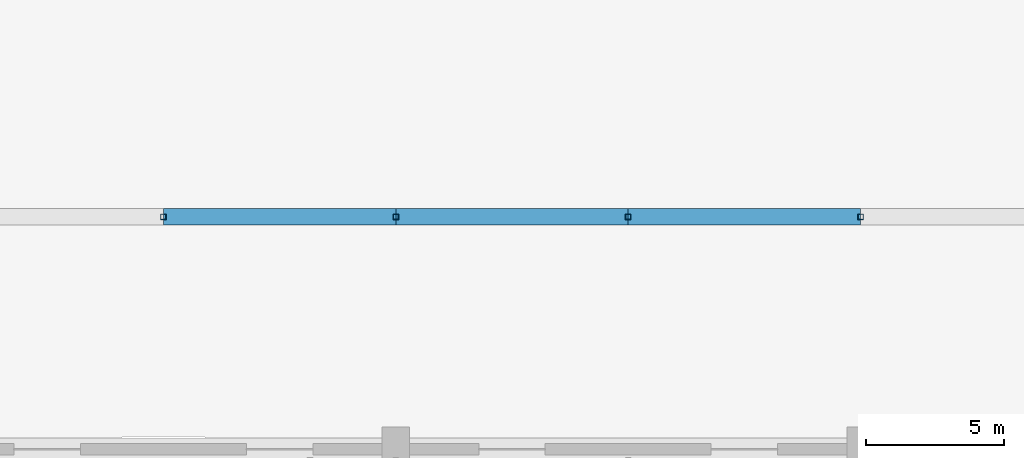
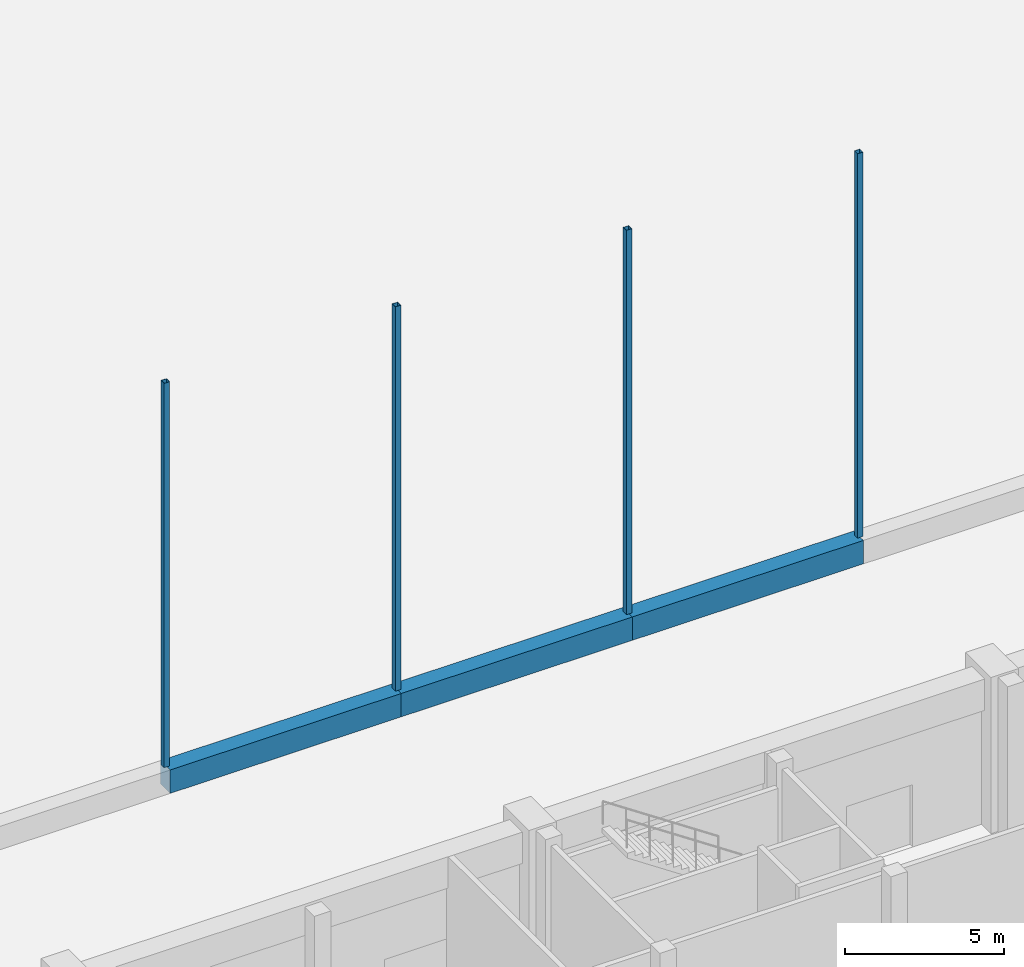
# One storey, part 39 of 210: 4 members, 3 beams.
"""IFC4 building model written with IfcOpenShell, lengths in metres."""

from ifc_helpers import new_model, si_unit, direction, frame, origin, origin_2d, place, context, subcontext, project, spatial, rectangle, hollow_rectangle, extrude, material, material_profile, profile_set, type_object, element, save


model = new_model("IFC4")

# Units and contexts
model_context = context("Model", 3, precision=1e-05, world=origin(), true_north=direction((0.0, 1.0)))
body_context = subcontext(model_context, "Body", "Model", "MODEL_VIEW")
ifc_project = project(units=[si_unit("LENGTHUNIT", "METRE"), si_unit("AREAUNIT", "SQUARE_METRE"), si_unit("VOLUMEUNIT", "CUBIC_METRE"), si_unit("PLANEANGLEUNIT", "RADIAN"), si_unit("MASSUNIT", "GRAM", prefix="KILO")], contexts=[model_context])

# Site, building, storey
site_placement = place(None, origin())
site = spatial("IfcSite", under=ifc_project, at=site_placement, CompositionType="ELEMENT")
building_placement = place(site_placement, origin())
building = spatial("IfcBuilding", under=site, at=building_placement, Name="Rain Tree Exposition and Congress Centre", CompositionType="ELEMENT")
storey_placement = place(building_placement, origin())
storey = spatial("IfcBuildingStorey", under=building, at=storey_placement, Name="L00", CompositionType="ELEMENT", Elevation=0.0)

# Beams
ifc_material_1 = material(Name="Precast concrete C50/60", Category="concrete")
ifc_material_profile_1 = material_profile(ifc_material_1, rectangle(XDim=0.60009765625, YDim=0.89990234375, at=origin_2d()), Name="RC 600x900")
ifc_profile_set_1 = profile_set([ifc_material_profile_1], Name="Precast concrete C50/60")
beam_type = type_object("IfcBeamType", Name="Precast beam 600x900", PredefinedType="BEAM", material=ifc_profile_set_1)
beam_placement = place(storey_placement, frame((67.199951171875, 109.199951171875, 5.25), z_axis=(1.0, 0.0, 0.0), x_axis=(0.0, 1.0, 0.0)))
element("IfcBeam", 1, at=beam_placement, inside=storey, type_object=beam_type, Name="Gallery edge beam 7", PredefinedType="BEAM", context=body_context, shape_type="SweptSolid", body=[
    extrude(rectangle(XDim=0.60009765625, YDim=0.89990234375, at=origin_2d()), origin(), (0.0, 0.0, 1.0), 8.400146484375),
])
for number, where, z_axis, x_axis, name in (
    (2, (75.60009765625, 109.199951171875, 5.25), (1.0, 0.0, 0.0), (0.0, 1.0, 0.0), "Gallery edge beam 8"),
    (3, (84.0, 109.199951171875, 5.25), (1.0, 0.0, 0.0), (0.0, 1.0, 0.0), "Gallery edge beam 9"),
):
    element("IfcBeam", number, at=place(storey_placement, frame(where, z_axis=z_axis, x_axis=x_axis)), inside=storey, type_object=beam_type, Name=name, PredefinedType="BEAM", context=body_context, shape_type="SweptSolid", body=[
        extrude(rectangle(XDim=0.60009765625, YDim=0.89990234375, at=origin_2d()), origin(), (0.0, 0.0, 1.0), 8.39990234375),
    ])

# Members
ifc_material_2 = material(Name="Steel S355J2H", Category="steel")
ifc_material_profile_2 = material_profile(ifc_material_2, hollow_rectangle(XDim=0.199951171875, YDim=0.199951171875, WallThickness=0.009033203125, at=origin_2d()), Name="RHS 200x200x9")
ifc_profile_set_2 = profile_set([ifc_material_profile_2], Name="Steel S355J2H")
member_type = type_object("IfcMemberType", Name="Steel member member RHS 200x200x9", PredefinedType="MEMBER", material=ifc_profile_set_2)
for number, where, z_axis, x_axis, name in (
    (4, (67.199951171875, 109.199951171875, 5.699951171875), (0.0, 0.0, 1.0), (1.0, 0.0, 0.0), "Gallery hanger 18"),
    (5, (75.60009765625, 109.199951171875, 5.699951171875), (0.0, 0.0, 1.0), (1.0, 0.0, 0.0), "Gallery hanger 19"),
    (6, (84.0, 109.199951171875, 5.699951171875), (0.0, 0.0, 1.0), (1.0, 0.0, 0.0), "Gallery hanger 20"),
    (7, (92.39990234375, 109.199951171875, 5.699951171875), (0.0, 0.0, 1.0), (1.0, 0.0, 0.0), "Gallery hanger 21"),
):
    element("IfcMember", number, at=place(storey_placement, frame(where, z_axis=z_axis, x_axis=x_axis)), inside=storey, type_object=member_type, Name=name, PredefinedType="MEMBER", context=body_context, shape_type="SweptSolid", body=[
        extrude(hollow_rectangle(XDim=0.199951171875, YDim=0.199951171875, WallThickness=0.009033203125, at=origin_2d()), origin(), (0.0, 0.0, 1.0), 14.766845703125),
    ])

save(model, "model.ifc")
